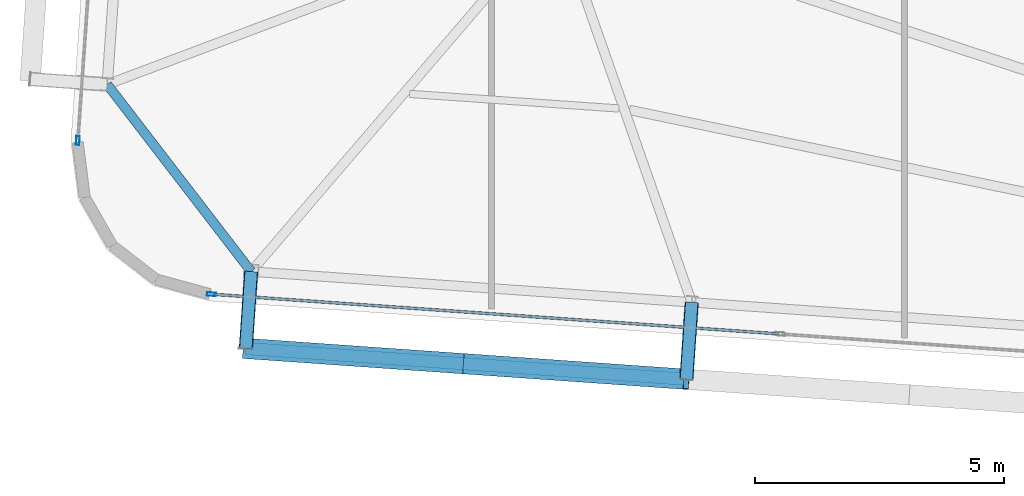
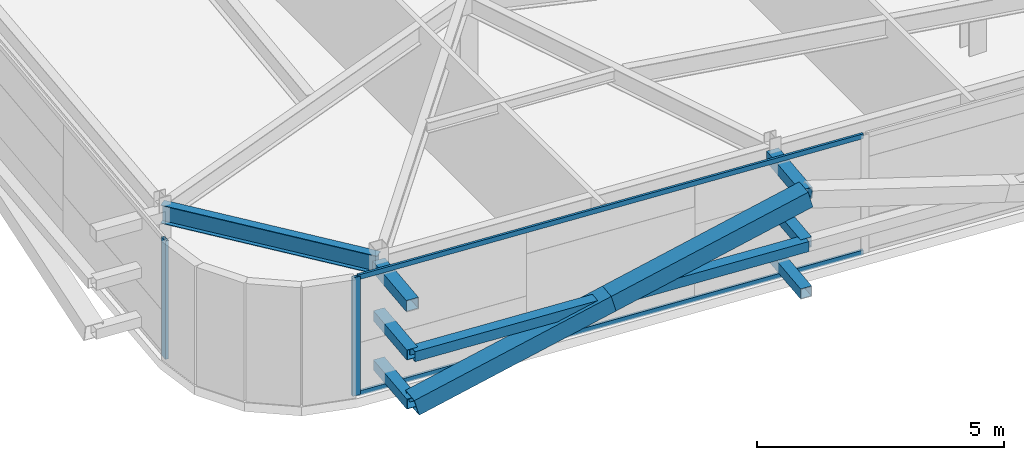
# One storey, part 6 of 39: 13 members, 1 beam, 2 elements without a shape of their own.
"""IFC4 building model written with IfcOpenShell, lengths in metres."""

from ifc_helpers import new_model, si_unit, direction, frame, origin, origin_2d, place, context, subcontext, project, spatial, hollow_rectangle, i_section, extrude, source, transform, mapped, material, layer, layer_set, material_profile, profile_set, type_object, element, aggregate, save


model = new_model("IFC4")

# Units and contexts
model_context = context("Model", 3, precision=1e-05, world=origin(), true_north=direction((0.0, 1.0)))
body_context = subcontext(model_context, "Body", "Model", "MODEL_VIEW")
ifc_project = project(units=[si_unit("LENGTHUNIT", "METRE"), si_unit("AREAUNIT", "SQUARE_METRE"), si_unit("VOLUMEUNIT", "CUBIC_METRE"), si_unit("PLANEANGLEUNIT", "RADIAN"), si_unit("MASSUNIT", "GRAM", prefix="KILO")], contexts=[model_context])

# Site, building, storey
site_placement = place(None, origin())
site = spatial("IfcSite", under=ifc_project, at=site_placement, CompositionType="ELEMENT")
building_placement = place(site_placement, origin())
building = spatial("IfcBuilding", under=site, at=building_placement, Name="Taldren Reach Tower", CompositionType="ELEMENT")
storey_placement = place(building_placement, frame((0.0, 0.0, 145.60009765625)))
storey = spatial("IfcBuildingStorey", under=building, at=storey_placement, Name="L44", CompositionType="ELEMENT", Elevation=145.60009765625)

# Members
ifc_material_1 = material(Name="Steel Gr 450 (C450L0)", Category="steel")
ifc_material_profile_1 = material_profile(ifc_material_1, hollow_rectangle(XDim=0.27490234375, YDim=0.27490234375, WallThickness=0.00927734375, at=origin_2d()), Name="275x275x9.3SHS")
ifc_profile_set_1 = profile_set([ifc_material_profile_1], Name="Steel Gr 450 (C450L0)")
member_type_1 = type_object("IfcMemberType", Name="MB-TIE273", PredefinedType="STRUT", material=ifc_profile_set_1)
shared_shape_1 = source(origin(), body_context, "Body", "SweptSolid", [
    extrude(hollow_rectangle(XDim=0.27490234375, YDim=0.27490234375, WallThickness=0.00927734375, at=origin_2d()), origin(), (0.0, 0.0, 1.0), 1.5498046875),
])
for number, where, z_axis, x_axis, name in (
    (1, (11.863525390625, 5.33837890625, 2.64990234375), (-0.069780535098, -0.997562367434, 0.0), (0.997562367434, -0.069780535098, 0.0), "Exoskeleton diaphragm tie strut B3-S1 L44"),
    (2, (20.721923828125, 4.718994140625, 2.64990234375), (-0.069780535098, -0.997562367434, 0.0), (0.997562367434, -0.069780535098, 0.0), "Exoskeleton diaphragm tie strut B3-S2 L44"),
):
    element("IfcMember", number, at=place(storey_placement, frame(where, z_axis=z_axis, x_axis=x_axis)), inside=storey, type_object=member_type_1, Name=name, PredefinedType="STRUT", context=body_context, shape_type="MappedRepresentation", body=[
        mapped(shared_shape_1, transform((0.0, 0.0, 0.0), scale=1.0)),
    ])
ifc_material_2 = material(Name="Steel Gr 350 (C350L0)", Category="steel")
ifc_material_profile_2 = material_profile(ifc_material_2, hollow_rectangle(XDim=0.25, YDim=0.25, WallThickness=0.010009765625, at=origin_2d()), Name="250x250x10.0SHS")
ifc_profile_set_2 = profile_set([ifc_material_profile_2], Name="Steel Gr 350 (C350L0)")
member_type_2 = type_object("IfcMemberType", Name="MB-POST250", PredefinedType="POST", material=ifc_profile_set_2)
shared_shape_2 = source(origin(), body_context, "Body", "SweptSolid", [
    extrude(hollow_rectangle(XDim=0.25, YDim=0.25, WallThickness=0.010009765625, at=origin_2d()), origin(), (0.0, 0.0, 1.0), 1.5498046875),
])
for number, where, z_axis, x_axis, name in (
    (3, (11.863525390625, 5.33837890625, 0.219970703125), (-0.069780535098, -0.997562367434, 0.0), (0.997562367434, -0.069780535098, 0.0), "Exoskeleton base diaphragm tie strut B3-S1 L44"),
    (4, (20.721923828125, 4.718994140625, 0.219970703125), (-0.069780535098, -0.997562367434, 0.0), (0.997562367434, -0.069780535098, 0.0), "Exoskeleton base diaphragm tie strut B3-S2 L44"),
    (5, (11.863525390625, 5.33837890625, 1.434814453125), (-0.069780535098, -0.997562367434, 0.0), (0.997562367434, -0.069780535098, 0.0), "Exoskeleton mid-tier diaphragm tie B3-S1 L44"),
    (6, (20.721923828125, 4.718994140625, 1.434814453125), (-0.069780535098, -0.997562367434, 0.0), (0.997562367434, -0.069780535098, 0.0), "Exoskeleton mid-tier diaphragm tie B3-S2 L44"),
):
    element("IfcMember", number, at=place(storey_placement, frame(where, z_axis=z_axis, x_axis=x_axis)), inside=storey, type_object=member_type_2, Name=name, PredefinedType="POST", context=body_context, shape_type="MappedRepresentation", body=[
        mapped(shared_shape_2, transform((0.0, 0.0, 0.0), scale=1.0)),
    ])

# Beam
ifc_material_3 = material(Name="Steel Gr 350 (350PLUS)", Category="steel")
ifc_material_profile_3 = material_profile(ifc_material_3, i_section(OverallWidth=0.18994140625, OverallDepth=0.4541015625, WebThickness=0.008544921875, FlangeThickness=0.0126953125, at=origin_2d()), Name="460UB67.1")
ifc_profile_set_3 = profile_set([ifc_material_profile_3], Name="Steel Gr 350 (350PLUS)")
beam_type = type_object("IfcBeamType", Name="SP-UB460B", PredefinedType="SPANDREL", material=ifc_profile_set_3)
shared_shape_3 = source(origin(), body_context, "Body", "SweptSolid", [
    extrude(i_section(OverallWidth=0.18994140625, OverallDepth=0.4541015625, WebThickness=0.008544921875, FlangeThickness=0.0126953125, at=origin_2d()), origin(), (0.0, 0.0, 1.0), 4.746337890625),
])
beam_placement = place(storey_placement, frame((8.96875, 9.099609375, 2.702880859375), z_axis=(0.609912099004, -0.792469072891, 0.0), x_axis=(0.792469072891, 0.609912099004, 0.0)))
element("IfcBeam", 7, at=beam_placement, inside=storey, type_object=beam_type, Name="Perimeter spandrel B3 W1-S1 L44", PredefinedType="SPANDREL", context=body_context, shape_type="MappedRepresentation", body=[
    mapped(shared_shape_3, transform((0.0, 0.0, 0.0), scale=1.0)),
])

# Members
shared_shape_4 = source(origin(), body_context, "Body", "SweptSolid", [
    extrude(hollow_rectangle(XDim=0.25, YDim=0.25, WallThickness=0.010009765625, at=origin_2d()), origin(), (0.0, 0.0, 1.0), 8.880126953125),
])
member_1_placement = place(storey_placement, frame((11.75537109375, 3.792236328125, 1.434814453125), z_axis=(0.997564479639, -0.069750333063, 0.0), x_axis=(0.069750333063, 0.997564479639, 0.0)))
element("IfcMember", 8, at=member_1_placement, inside=storey, type_object=member_type_2, Name="Exoskeleton mid-height ring chord B3-S1 L44", PredefinedType="POST", context=body_context, shape_type="MappedRepresentation", body=[
    mapped(shared_shape_4, transform((0.0, 0.0, 0.0), scale=1.0)),
])
ifc_material_profile_4 = material_profile(ifc_material_1, hollow_rectangle(XDim=0.409912109375, YDim=0.409912109375, WallThickness=0.01611328125, at=origin_2d()), Name="410x410x16.0SHS")
ifc_profile_set_4 = profile_set([ifc_material_profile_4], Name="Steel Gr 450 (C450L0)")
member_type_3 = type_object("IfcMemberType", Name="MB-EXO406", PredefinedType="BRACE", material=ifc_profile_set_4)
shared_shape_5 = source(origin(), body_context, "Body", "SweptSolid", [
    extrude(hollow_rectangle(XDim=0.409912109375, YDim=0.409912109375, WallThickness=0.01611328125, at=origin_2d()), origin(), (0.0, 0.0, 1.0), 4.603271484375),
])
for number, where, z_axis, x_axis, name in (
    (9, (11.75537109375, 3.792236328125, 0.219970703125), (0.962195820062, -0.067303852699, 0.263911718699), (0.06977769246, 0.997562566276, 0.0), "Exoskeleton Diagrid Brace B3-S1 L44"),
    (10, (16.1845703125, 3.482421875, 1.434814453125), (0.962185784239, -0.067250114343, 0.263962002434), (0.069722973508, 0.997566392259, 0.0), "Exoskeleton Diagrid Brace B3-S1 L44"),
):
    element("IfcMember", number, at=place(storey_placement, frame(where, z_axis=z_axis, x_axis=x_axis)), inside=storey, type_object=member_type_3, Name=name, PredefinedType="BRACE", context=body_context, shape_type="MappedRepresentation", body=[
        mapped(shared_shape_5, transform((0.0, 0.0, 0.0), scale=1.0)),
    ])

# Curtain wall, members
ifc_material_4 = material(Name="Aluminium and Low-E Glass Unitised System", Category="aluminium")
ifc_layer = layer(ifc_material_4, 0.159912109375)
ifc_layer_set = layer_set([ifc_layer], Name="Aluminium and Low-E Glass Unitised System")
curtain_wall_type = type_object("IfcCurtainWallType", Name="CW-SYS-4", PredefinedType="NOTDEFINED", material=ifc_layer_set)
curtain_wall_1_placement = place(storey_placement, origin())
curtain_wall_1 = element("IfcCurtainWall", 11, at=curtain_wall_1_placement, inside=storey, type_object=curtain_wall_type, Name="Unitised curtain wall CW-L44-S", PredefinedType="NOTDEFINED")
ifc_material_5 = material(Name="Anodised Aluminium 6063-T6", Category="aluminium")
ifc_material_profile_5 = material_profile(ifc_material_5, hollow_rectangle(XDim=0.054931640625, YDim=0.1201171875, WallThickness=0.0029296875, at=origin_2d()), Name="ALU-120x55x3RHS")
ifc_profile_set_5 = profile_set([ifc_material_profile_5], Name="Anodised Aluminium 6063-T6")
member_type_4 = type_object("IfcMemberType", Name="CW-TRN-135", PredefinedType="USERDEFINED", material=ifc_profile_set_5)
shared_shape_6 = source(origin(), body_context, "Body", "SweptSolid", [
    extrude(hollow_rectangle(XDim=0.054931640625, YDim=0.1201171875, WallThickness=0.0029296875, at=origin_2d()), origin(), (0.0, 0.0, 1.0), 11.39501953125),
])
member_2_placement = place(storey_placement, frame((11.099853515625, 4.880615234375, 0.02734375), z_axis=(0.997563740682, -0.069760900766, 0.0), x_axis=(0.069760900766, 0.997563740682, 0.0)))
member_2 = element("IfcMember", 12, at=member_2_placement, type_object=member_type_4, Name="CW-4 transom 1.1", ObjectType="TRANSOM", PredefinedType="USERDEFINED", context=body_context, shape_type="MappedRepresentation", body=[
    mapped(shared_shape_6, transform((0.0, 0.0, 0.0), scale=1.0)),
])
member_3_placement = place(storey_placement, frame((11.099853515625, 4.880615234375, 2.90234375), z_axis=(0.997563740682, -0.069760900766, 0.0), x_axis=(0.069760900766, 0.997563740682, 0.0)))
member_3 = element("IfcMember", 13, at=member_3_placement, type_object=member_type_4, Name="CW-4 transom 1.2", ObjectType="TRANSOM", PredefinedType="USERDEFINED", context=body_context, shape_type="MappedRepresentation", body=[
    mapped(shared_shape_6, transform((0.0, 0.0, 0.0), scale=1.0)),
])
ifc_material_profile_6 = material_profile(ifc_material_5, hollow_rectangle(XDim=0.070068359375, YDim=0.179931640625, WallThickness=0.00390625, at=origin_2d()), Name="ALU-180x70x4RHS")
ifc_profile_set_6 = profile_set([ifc_material_profile_6], Name="Anodised Aluminium 6063-T6")
member_type_5 = type_object("IfcMemberType", Name="CW-MUL-180", PredefinedType="MULLION", material=ifc_profile_set_6)
shared_shape_7 = source(origin(), body_context, "Body", "SweptSolid", [
    extrude(hollow_rectangle(XDim=0.070068359375, YDim=0.179931640625, WallThickness=0.00390625, at=origin_2d()), origin(), (0.0, 0.0, 1.0), 2.929931640625),
])
member_4_placement = place(storey_placement, frame((11.06494140625, 4.883056640625, 0.0), z_axis=(0.0, 0.0, 1.0), x_axis=(0.06975651593, 0.99756404731, 0.0)))
member_4 = element("IfcMember", 14, at=member_4_placement, type_object=member_type_5, Name="CW-4 mullion 1", PredefinedType="MULLION", context=body_context, shape_type="MappedRepresentation", body=[
    mapped(shared_shape_7, transform((0.0, 0.0, 0.0), scale=1.0)),
])
aggregate(curtain_wall_1, [member_4, member_2, member_3])

# Curtain wall, member
curtain_wall_2_placement = place(storey_placement, origin())
curtain_wall_2 = element("IfcCurtainWall", 15, at=curtain_wall_2_placement, inside=storey, type_object=curtain_wall_type, Name="Unitised curtain wall CW-L44-W", PredefinedType="NOTDEFINED")
member_5_placement = place(storey_placement, frame((8.37890625, 7.972900390625, 0.0), z_axis=(0.0, 0.0, 1.0), x_axis=(0.997564052812, -0.069756437251, 0.0)))
member_5 = element("IfcMember", 16, at=member_5_placement, type_object=member_type_5, Name="CW-4 mullion 3", PredefinedType="MULLION", context=body_context, shape_type="MappedRepresentation", body=[
    mapped(shared_shape_7, transform((0.0, 0.0, 0.0), scale=1.0)),
])
aggregate(curtain_wall_2, [member_5])

save(model, "model.ifc")
